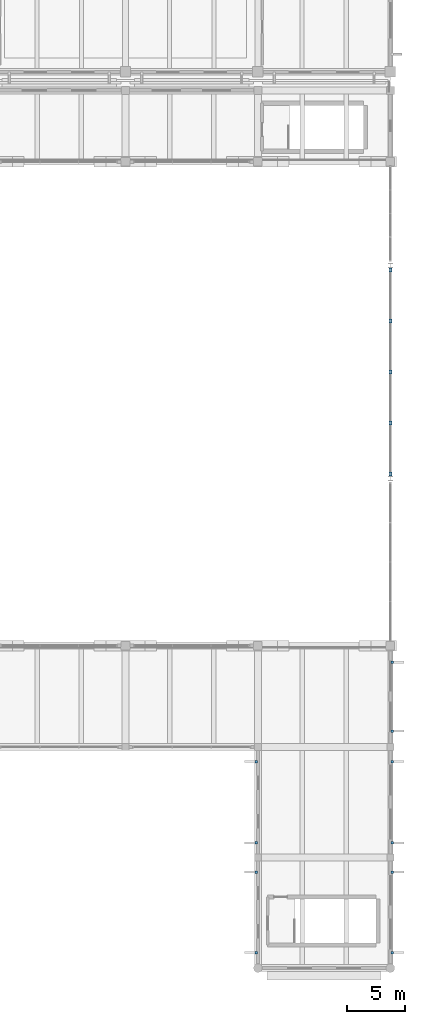
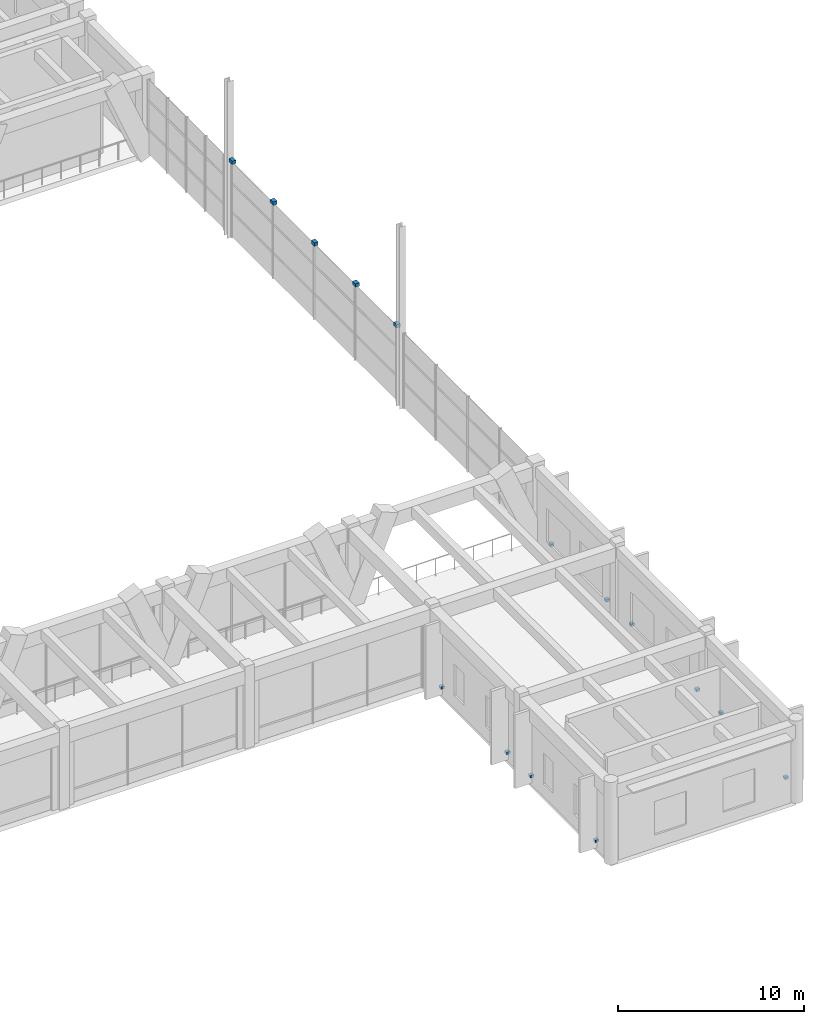
# One storey, part 140 of 148: 15 discrete accessories.
"""IFC4 building model written with IfcOpenShell, lengths in metres."""

from ifc_helpers import new_model, si_unit, direction, frame, origin, origin_2d, place, context, subcontext, project, spatial, rectangle, extrude, material, type_object, element, save


model = new_model("IFC4")

# Units and contexts
model_context = context("Model", 3, precision=1e-05, world=origin(), true_north=direction((0.0, 1.0)))
body_context = subcontext(model_context, "Body", "Model", "MODEL_VIEW")
ifc_project = project(units=[si_unit("LENGTHUNIT", "METRE"), si_unit("AREAUNIT", "SQUARE_METRE"), si_unit("VOLUMEUNIT", "CUBIC_METRE"), si_unit("PLANEANGLEUNIT", "RADIAN"), si_unit("MASSUNIT", "GRAM", prefix="KILO")], contexts=[model_context])

# Site, building, storey
site_placement = place(None, origin())
site = spatial("IfcSite", under=ifc_project, at=site_placement, CompositionType="ELEMENT")
building_placement = place(site_placement, origin())
building = spatial("IfcBuilding", under=site, at=building_placement, Name="Ologun Quay Terminus", CompositionType="ELEMENT")
storey_placement = place(building_placement, frame((0.0, 0.0, 8.39990234375)))
storey = spatial("IfcBuildingStorey", under=building, at=storey_placement, Name="L02", CompositionType="ELEMENT", Elevation=8.39990234375)

# Discrete accessories
ifc_material_1 = material(Name="Steel S355", Category="steel")
discrete_accessory_type_1 = type_object("IfcDiscreteAccessoryType", Name="Brace & Strut End Gusset Connection Plate 360x360x20", PredefinedType="BRACKET", material=ifc_material_1)
for number, where, z_axis, x_axis, name in (
    (1, (184.0, 50.89990234375, 5.05029296875), (0.0, 0.0, 1.0), (1.0, 0.0, 0.0), "GUS-END Gable Screen Head Cleat E2-1"),
    (2, (184.0, 55.324951171875, 5.05029296875), (0.0, 0.0, 1.0), (1.0, 0.0, 0.0), "GUS-END Gable Screen Head Cleat E2-2"),
    (3, (184.0, 59.75, 5.05029296875), (0.0, 0.0, 1.0), (1.0, 0.0, 0.0), "GUS-END Gable Screen Head Cleat E2-3"),
    (4, (184.0, 64.175048828125, 5.05029296875), (0.0, 0.0, 1.0), (1.0, 0.0, 0.0), "GUS-END Gable Screen Head Cleat E2-4"),
    (5, (184.0, 68.60009765625, 5.05029296875), (0.0, 0.0, 1.0), (1.0, 0.0, 0.0), "GUS-END Gable Screen Head Cleat E2-5"),
):
    element("IfcDiscreteAccessory", number, at=place(storey_placement, frame(where, z_axis=z_axis, x_axis=x_axis)), inside=storey, type_object=discrete_accessory_type_1, Name=name, PredefinedType="BRACKET", context=body_context, shape_type="SweptSolid", body=[
        extrude(rectangle(XDim=0.239990234375, YDim=0.320068359375, at=origin_2d()), origin(), (0.0, 0.0, 1.0), 0.219970703125),
    ])
ifc_material_2 = material(Name="Steel S355", Category="steel")
discrete_accessory_type_2 = type_object("IfcDiscreteAccessoryType", Name="Solar Fin Stainless Support Bracket", PredefinedType="BRACKET", material=ifc_material_2)
for number, where, z_axis, x_axis, name in (
    (6, (172.360107421875, 9.344970703125, 0.52001953125), (0.0, 0.0, 1.0), (1.0, 0.0, 0.0), "BRK-01 Solar Fin Bracket WEW-SA-L02-3-5-1"),
    (7, (172.360107421875, 16.330078125, 0.52001953125), (0.0, 0.0, 1.0), (1.0, 0.0, 0.0), "BRK-01 Solar Fin Bracket WEW-SA-L02-3-5-2"),
    (8, (172.360107421875, 18.8701171875, 0.52001953125), (0.0, 0.0, 1.0), (1.0, 0.0, 0.0), "BRK-01 Solar Fin Bracket WEW-SA-L02-3-6-1"),
    (9, (172.360107421875, 25.929931640625, 0.52001953125), (0.0, 0.0, 1.0), (1.0, 0.0, 0.0), "BRK-01 Solar Fin Bracket WEW-SA-L02-3-6-2"),
    (10, (184.139892578125, 9.344970703125, 0.52001953125), (0.0, 0.0, 1.0), (1.0, 0.0, 0.0), "BRK-01 Solar Fin Bracket WEW-SA-L02-3-8-1"),
    (11, (184.139892578125, 16.330078125, 0.52001953125), (0.0, 0.0, 1.0), (1.0, 0.0, 0.0), "BRK-01 Solar Fin Bracket WEW-SA-L02-3-8-2"),
    (12, (184.139892578125, 18.8701171875, 0.52001953125), (0.0, 0.0, 1.0), (1.0, 0.0, 0.0), "BRK-01 Solar Fin Bracket WEW-SA-L02-3-9-1"),
    (13, (184.139892578125, 25.929931640625, 0.52001953125), (0.0, 0.0, 1.0), (1.0, 0.0, 0.0), "BRK-01 Solar Fin Bracket WEW-SA-L02-3-9-2"),
    (14, (184.139892578125, 28.570068359375, 0.52001953125), (0.0, 0.0, 1.0), (1.0, 0.0, 0.0), "BRK-01 Solar Fin Bracket WEW-SA-L02-3-10-1"),
    (15, (184.139892578125, 34.554931640625, 0.52001953125), (0.0, 0.0, 1.0), (1.0, 0.0, 0.0), "BRK-01 Solar Fin Bracket WEW-SA-L02-3-10-2"),
):
    element("IfcDiscreteAccessory", number, at=place(storey_placement, frame(where, z_axis=z_axis, x_axis=x_axis)), inside=storey, type_object=discrete_accessory_type_2, Name=name, PredefinedType="BRACKET", context=body_context, shape_type="SweptSolid", body=[
        extrude(rectangle(XDim=0.219970703125, YDim=0.219970703125, at=origin_2d()), origin(), (0.0, 0.0, 1.0), 0.159912109375),
    ])

save(model, "model.ifc")
